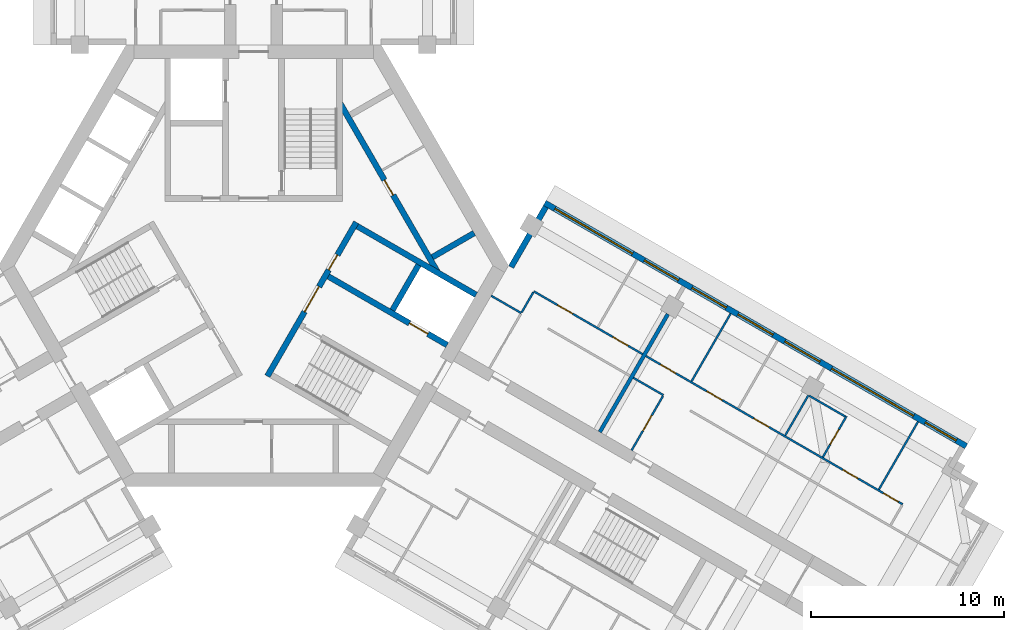
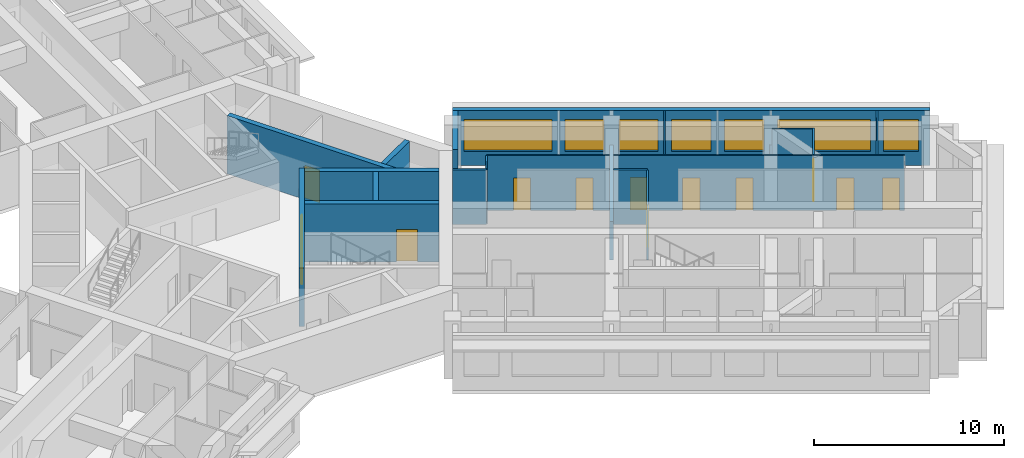
# One storey, part 6 of 11: 20 walls, 13 doors, 7 windows, 20 openings.
"""IFC4 building model written with IfcOpenShell, lengths in metres."""

from ifc_helpers import new_model, si_unit, direction, frame, frame_2d, origin, place, context, subcontext, project, spatial, rectangle, extrude, material, layer, layer_set, type_object, element, fill, save


model = new_model("IFC4")

# Units and contexts
model_context = context("Model", 3, precision=1e-05, world=origin(), true_north=direction((0.0, 1.0)))
body_context = subcontext(model_context, "Body", "Model", "MODEL_VIEW")
ifc_project = project(units=[si_unit("LENGTHUNIT", "METRE"), si_unit("AREAUNIT", "SQUARE_METRE"), si_unit("VOLUMEUNIT", "CUBIC_METRE"), si_unit("PLANEANGLEUNIT", "RADIAN"), si_unit("MASSUNIT", "GRAM", prefix="KILO")], contexts=[model_context])

# Site, building, storey
site_placement = place(None, origin())
site = spatial("IfcSite", under=ifc_project, at=site_placement, CompositionType="ELEMENT")
building_placement = place(site_placement, origin())
building = spatial("IfcBuilding", under=site, at=building_placement, Name="Impinga Residences", CompositionType="ELEMENT")
storey_placement = place(building_placement, frame((0.0, 0.0, 244.75)))
storey = spatial("IfcBuildingStorey", under=building, at=storey_placement, Name="L61", CompositionType="ELEMENT", Elevation=244.75)

# Wall
ifc_material_1 = material(Name="Terracotta rainscreen on blockwork", Category="masonry")
ifc_layer_1 = layer(ifc_material_1, 0.300048828125)
ifc_layer_set_1 = layer_set([ifc_layer_1], Name="EW1 external wall, terracotta rainscreen on blockwork 300")
wall_type_1 = type_object("IfcWallType", Name="EW1 external wall, terracotta rainscreen on blockwork 300", PredefinedType="SOLIDWALL", material=ifc_layer_set_1)
wall_1_placement = place(storey_placement, frame((13.329833984375, -0.074951171875, 0.0), z_axis=(0.0, 0.0, 1.0), x_axis=(0.500012057535, 0.866018442252, 0.0)))
element("IfcWall", 1, at=wall_1_placement, inside=storey, type_object=wall_type_1, Name="External wall EW1 L61", PredefinedType="SOLIDWALL", context=body_context, shape_type="SweptSolid", body=[
    extrude(rectangle(XDim=3.60009765625, YDim=0.300048828125, at=frame_2d((1.800048828125, 0.0))), origin(), (0.0, 0.0, 1.0), 3.530029296875),
])

# Wall, openings, windows
wall_2_placement = place(storey_placement, frame((15.074951171875, 3.24755859375, 0.0), z_axis=(0.0, 0.0, 1.0), x_axis=(0.86602925447, -0.499993330357, 0.0)))
wall_2 = element("IfcWall", 2, at=wall_2_placement, inside=storey, type_object=wall_type_1, Name="External wall EW1 L61", PredefinedType="SOLIDWALL", context=body_context, shape_type="SweptSolid", body=[
    extrude(rectangle(XDim=25.199951171875, YDim=0.300048828125, at=frame_2d((12.60009765625, 0.0))), origin(), (0.0, 0.0, 1.0), 3.530029296875),
])
opening_1_placement = place(wall_2_placement, frame((0.60009765625, 0.0, 0.89990234375)))
opening_1 = element("IfcOpeningElement", 3, at=opening_1_placement, cuts=wall_2, Name="Opening W10", PredefinedType="OPENING", context=body_context, shape_type="SweptSolid", body=[
    extrude(rectangle(XDim=4.64990234375, YDim=2.050048828125, at=frame_2d((2.324951171875, 1.02490234375))), frame((0.0, 0.159912109375, 0.0), z_axis=(0.0, -1.0, 0.0), x_axis=(1.0, 0.0, 0.0)), (0.0, 0.0, 1.0), 0.320068359375),
])
opening_2_placement = place(wall_2_placement, frame((5.949951171875, 0.0, 0.89990234375)))
opening_2 = element("IfcOpeningElement", 4, at=opening_2_placement, cuts=wall_2, Name="Opening W14", PredefinedType="OPENING", context=body_context, shape_type="SweptSolid", body=[
    extrude(rectangle(XDim=2.050048828125, YDim=2.050048828125, at=frame_2d((1.02490234375, 1.02490234375))), frame((0.0, 0.159912109375, 0.0), z_axis=(0.0, -1.0, 0.0), x_axis=(1.0, 0.0, 0.0)), (0.0, 0.0, 1.0), 0.320068359375),
])
opening_3_placement = place(wall_2_placement, frame((8.800048828125, 0.0, 0.89990234375)))
opening_3 = element("IfcOpeningElement", 5, at=opening_3_placement, cuts=wall_2, Name="Opening W14", PredefinedType="OPENING", context=body_context, shape_type="SweptSolid", body=[
    extrude(rectangle(XDim=2.050048828125, YDim=2.050048828125, at=frame_2d((1.02490234375, 1.02490234375))), frame((0.0, 0.159912109375, 0.0), z_axis=(0.0, -1.0, 0.0), x_axis=(1.0, 0.0, 0.0)), (0.0, 0.0, 1.0), 0.320068359375),
])
opening_4_placement = place(wall_2_placement, frame((11.550048828125, 0.0, 0.89990234375)))
opening_4 = element("IfcOpeningElement", 6, at=opening_4_placement, cuts=wall_2, Name="Opening W9", PredefinedType="OPENING", context=body_context, shape_type="SweptSolid", body=[
    extrude(rectangle(XDim=2.10009765625, YDim=2.050048828125, at=frame_2d((1.050048828125, 1.02490234375))), frame((0.0, 0.159912109375, 0.0), z_axis=(0.0, -1.0, 0.0), x_axis=(1.0, 0.0, 0.0)), (0.0, 0.0, 1.0), 0.320068359375),
])
opening_5_placement = place(wall_2_placement, frame((14.35009765625, 0.0, 0.89990234375)))
opening_5 = element("IfcOpeningElement", 7, at=opening_5_placement, cuts=wall_2, Name="Opening W9", PredefinedType="OPENING", context=body_context, shape_type="SweptSolid", body=[
    extrude(rectangle(XDim=2.10009765625, YDim=2.050048828125, at=frame_2d((1.050048828125, 1.02490234375))), frame((0.0, 0.159912109375, 0.0), z_axis=(0.0, -1.0, 0.0), x_axis=(1.0, 0.0, 0.0)), (0.0, 0.0, 1.0), 0.320068359375),
])
opening_6_placement = place(wall_2_placement, frame((17.14990234375, 0.0, 0.89990234375)))
opening_6 = element("IfcOpeningElement", 8, at=opening_6_placement, cuts=wall_2, Name="Opening W16", PredefinedType="OPENING", context=body_context, shape_type="SweptSolid", body=[
    extrude(rectangle(XDim=4.89990234375, YDim=2.050048828125, at=frame_2d((2.449951171875, 1.02490234375))), frame((0.0, 0.159912109375, 0.0), z_axis=(0.0, -1.0, 0.0), x_axis=(1.0, 0.0, 0.0)), (0.0, 0.0, 1.0), 0.320068359375),
])
opening_7_placement = place(wall_2_placement, frame((22.75, 0.0, 0.89990234375)))
opening_7 = element("IfcOpeningElement", 9, at=opening_7_placement, cuts=wall_2, Name="Opening W15", PredefinedType="OPENING", context=body_context, shape_type="SweptSolid", body=[
    extrude(rectangle(XDim=1.85009765625, YDim=2.050048828125, at=frame_2d((0.925048828125, 1.02490234375))), frame((0.0, 0.159912109375, 0.0), z_axis=(0.0, -1.0, 0.0), x_axis=(1.0, 0.0, 0.0)), (0.0, 0.0, 1.0), 0.320068359375),
])
ifc_material_2 = material(Name="Aluminium window, clear double glazing", Category="aluminium")
window_type_1 = type_object("IfcWindowType", Name="W10 ribbon window 4650x2050", PartitioningType="SINGLE_PANEL", PredefinedType="WINDOW", material=ifc_material_2)
window_1_placement = place(opening_1_placement, origin())
window_1 = element("IfcWindow", 10, at=window_1_placement, inside=storey, type_object=window_type_1, Name="Window L61", OverallHeight=2.050048828125, OverallWidth=4.64990234375, PartitioningType="SINGLE_PANEL", PredefinedType="WINDOW", context=body_context, shape_type="SweptSolid", body=[
    extrude(rectangle(XDim=4.64990234375, YDim=2.050048828125, at=frame_2d((2.324951171875, 1.02490234375))), frame((0.0, 0.030029296875, 0.0), z_axis=(0.0, -1.0, 0.0), x_axis=(1.0, 0.0, 0.0)), (0.0, 0.0, 1.0), 0.06005859375),
])
fill(opening_1, window_1)
window_type_2 = type_object("IfcWindowType", Name="W14 ribbon window 2050x2050", PartitioningType="SINGLE_PANEL", PredefinedType="WINDOW", material=ifc_material_2)
window_2_placement = place(opening_2_placement, origin())
window_2 = element("IfcWindow", 11, at=window_2_placement, inside=storey, type_object=window_type_2, Name="Window L61", OverallHeight=2.050048828125, OverallWidth=2.050048828125, PartitioningType="SINGLE_PANEL", PredefinedType="WINDOW", context=body_context, shape_type="SweptSolid", body=[
    extrude(rectangle(XDim=2.050048828125, YDim=2.050048828125, at=frame_2d((1.02490234375, 1.02490234375))), frame((0.0, 0.030029296875, 0.0), z_axis=(0.0, -1.0, 0.0), x_axis=(1.0, 0.0, 0.0)), (0.0, 0.0, 1.0), 0.06005859375),
])
fill(opening_2, window_2)
window_3_placement = place(opening_3_placement, origin())
window_3 = element("IfcWindow", 12, at=window_3_placement, inside=storey, type_object=window_type_2, Name="Window L61", OverallHeight=2.050048828125, OverallWidth=2.050048828125, PartitioningType="SINGLE_PANEL", PredefinedType="WINDOW", context=body_context, shape_type="SweptSolid", body=[
    extrude(rectangle(XDim=2.050048828125, YDim=2.050048828125, at=frame_2d((1.02490234375, 1.02490234375))), frame((0.0, 0.030029296875, 0.0), z_axis=(0.0, -1.0, 0.0), x_axis=(1.0, 0.0, 0.0)), (0.0, 0.0, 1.0), 0.06005859375),
])
fill(opening_3, window_3)
window_type_3 = type_object("IfcWindowType", Name="W15 ribbon window 1850x2050", PartitioningType="SINGLE_PANEL", PredefinedType="WINDOW", material=ifc_material_2)
window_4_placement = place(opening_7_placement, origin())
window_4 = element("IfcWindow", 13, at=window_4_placement, inside=storey, type_object=window_type_3, Name="Window L61", OverallHeight=2.050048828125, OverallWidth=1.85009765625, PartitioningType="SINGLE_PANEL", PredefinedType="WINDOW", context=body_context, shape_type="SweptSolid", body=[
    extrude(rectangle(XDim=1.85009765625, YDim=2.050048828125, at=frame_2d((0.925048828125, 1.02490234375))), frame((0.0, 0.030029296875, 0.0), z_axis=(0.0, -1.0, 0.0), x_axis=(1.0, 0.0, 0.0)), (0.0, 0.0, 1.0), 0.06005859375),
])
fill(opening_7, window_4)
window_type_4 = type_object("IfcWindowType", Name="W16 ribbon window 4900x2050", PartitioningType="SINGLE_PANEL", PredefinedType="WINDOW", material=ifc_material_2)
window_5_placement = place(opening_6_placement, origin())
window_5 = element("IfcWindow", 14, at=window_5_placement, inside=storey, type_object=window_type_4, Name="Window L61", OverallHeight=2.050048828125, OverallWidth=4.89990234375, PartitioningType="SINGLE_PANEL", PredefinedType="WINDOW", context=body_context, shape_type="SweptSolid", body=[
    extrude(rectangle(XDim=4.89990234375, YDim=2.050048828125, at=frame_2d((2.449951171875, 1.02490234375))), frame((0.0, 0.030029296875, 0.0), z_axis=(0.0, -1.0, 0.0), x_axis=(1.0, 0.0, 0.0)), (0.0, 0.0, 1.0), 0.06005859375),
])
fill(opening_6, window_5)
window_type_5 = type_object("IfcWindowType", Name="W9 ribbon window 2100x2050", PartitioningType="SINGLE_PANEL", PredefinedType="WINDOW", material=ifc_material_2)
window_6_placement = place(opening_4_placement, origin())
window_6 = element("IfcWindow", 15, at=window_6_placement, inside=storey, type_object=window_type_5, Name="Window L61", OverallHeight=2.050048828125, OverallWidth=2.10009765625, PartitioningType="SINGLE_PANEL", PredefinedType="WINDOW", context=body_context, shape_type="SweptSolid", body=[
    extrude(rectangle(XDim=2.10009765625, YDim=2.050048828125, at=frame_2d((1.050048828125, 1.02490234375))), frame((0.0, 0.030029296875, 0.0), z_axis=(0.0, -1.0, 0.0), x_axis=(1.0, 0.0, 0.0)), (0.0, 0.0, 1.0), 0.06005859375),
])
fill(opening_4, window_6)
window_7_placement = place(opening_5_placement, origin())
window_7 = element("IfcWindow", 16, at=window_7_placement, inside=storey, type_object=window_type_5, Name="Window L61", OverallHeight=2.050048828125, OverallWidth=2.10009765625, PartitioningType="SINGLE_PANEL", PredefinedType="WINDOW", context=body_context, shape_type="SweptSolid", body=[
    extrude(rectangle(XDim=2.10009765625, YDim=2.050048828125, at=frame_2d((1.050048828125, 1.02490234375))), frame((0.0, 0.030029296875, 0.0), z_axis=(0.0, -1.0, 0.0), x_axis=(1.0, 0.0, 0.0)), (0.0, 0.0, 1.0), 0.06005859375),
])
fill(opening_5, window_7)

# Wall
ifc_material_3 = material(Name="Gypsum board on steel studs", Category="steel")
ifc_layer_2 = layer(ifc_material_3, 0.10009765625)
ifc_layer_set_2 = layer_set([ifc_layer_2], Name="Gypsum board on steel studs")
wall_type_2 = type_object("IfcWallType", Name="IP1 partition 100", PredefinedType="PARTITIONING", material=ifc_layer_set_2)
wall_3_placement = place(storey_placement, frame((12.300048828125, -1.558837890625, 0.0), z_axis=(0.0, 0.0, 1.0), x_axis=(0.866047807691, -0.499961193289, 0.0)))
element("IfcWall", 17, at=wall_3_placement, inside=storey, type_object=wall_type_2, Name="Partition L61-EA1:DIV0", PredefinedType="PARTITIONING", context=body_context, shape_type="SweptSolid", body=[
    extrude(rectangle(XDim=1.800048828125, YDim=0.10009765625, at=frame_2d((0.89990234375, 0.0))), origin(), (0.0, 0.0, 1.0), 3.530029296875),
])

# Wall, openings, doors
wall_4_placement = place(storey_placement, frame((14.5087890625, -1.3330078125, 0.0), z_axis=(0.0, 0.0, 1.0), x_axis=(0.866024837091, -0.50000098154, 0.0)))
wall_4 = element("IfcWall", 18, at=wall_4_placement, inside=storey, type_object=wall_type_2, Name="Partition L61-EA1:STRIP", PredefinedType="PARTITIONING", context=body_context, shape_type="SweptSolid", body=[
    extrude(rectangle(XDim=6.5, YDim=0.10009765625, at=frame_2d((3.25, 0.0))), origin(), (0.0, 0.0, 1.0), 3.530029296875),
])
opening_8_placement = place(wall_4_placement, frame((1.425048828125, 0.0, 0.0)))
opening_8 = element("IfcOpeningElement", 19, at=opening_8_placement, cuts=wall_4, Name="Opening D2", PredefinedType="OPENING", context=body_context, shape_type="SweptSolid", body=[
    extrude(rectangle(XDim=0.89990234375, YDim=2.10009765625, at=frame_2d((0.449951171875, 1.050048828125))), frame((0.0, 0.06005859375, 0.0), z_axis=(0.0, -1.0, 0.0), x_axis=(1.0, 0.0, 0.0)), (0.0, 0.0, 1.0), 0.1201171875),
])
opening_9_placement = place(wall_4_placement, frame((4.72509765625, 0.0, 0.0)))
opening_9 = element("IfcOpeningElement", 20, at=opening_9_placement, cuts=wall_4, Name="Opening D2", PredefinedType="OPENING", context=body_context, shape_type="SweptSolid", body=[
    extrude(rectangle(XDim=0.89990234375, YDim=2.10009765625, at=frame_2d((0.449951171875, 1.050048828125))), frame((0.0, 0.06005859375, 0.0), z_axis=(0.0, -1.0, 0.0), x_axis=(1.0, 0.0, 0.0)), (0.0, 0.0, 1.0), 0.1201171875),
])
ifc_material_4 = material(Name="Timber door set", Category="wood")
door_type_1 = type_object("IfcDoorType", Name="D2 internal door 900x2100", OperationType="SINGLE_SWING_LEFT", PredefinedType="DOOR", material=ifc_material_4)
door_1_placement = place(opening_8_placement, origin())
door_1 = element("IfcDoor", 21, at=door_1_placement, inside=storey, type_object=door_type_1, Name="Apartment L61-EA1 room door", OperationType="SINGLE_SWING_LEFT", OverallHeight=2.10009765625, OverallWidth=0.89990234375, PredefinedType="DOOR", context=body_context, shape_type="SweptSolid", body=[
    extrude(rectangle(XDim=0.89990234375, YDim=2.10009765625, at=frame_2d((0.449951171875, 1.050048828125))), frame((0.0, 0.02490234375, 0.0), z_axis=(0.0, -1.0, 0.0), x_axis=(1.0, 0.0, 0.0)), (0.0, 0.0, 1.0), 0.050048828125),
])
fill(opening_8, door_1)
door_2_placement = place(opening_9_placement, origin())
door_2 = element("IfcDoor", 22, at=door_2_placement, inside=storey, type_object=door_type_1, Name="Apartment L61-EA1 room door", OperationType="SINGLE_SWING_RIGHT", OverallHeight=2.10009765625, OverallWidth=0.89990234375, PredefinedType="DOOR", context=body_context, shape_type="SweptSolid", body=[
    extrude(rectangle(XDim=0.89990234375, YDim=2.10009765625, at=frame_2d((0.449951171875, 1.050048828125))), frame((0.0, 0.02490234375, 0.0), z_axis=(0.0, -1.0, 0.0), x_axis=(1.0, 0.0, 0.0)), (0.0, 0.0, 1.0), 0.050048828125),
])
fill(opening_9, door_2)

# Walls
wall_5_placement = place(storey_placement, frame((13.8837890625, -2.41552734375, 0.0), z_axis=(0.0, 0.0, 1.0), x_axis=(0.500033551112, 0.866006032174, 0.0)))
element("IfcWall", 23, at=wall_5_placement, inside=storey, type_object=wall_type_2, Name="Partition L61-EA1:SE0", PredefinedType="PARTITIONING", context=body_context, shape_type="SweptSolid", body=[
    extrude(rectangle(XDim=1.2001953125, YDim=0.10009765625, at=frame_2d((0.60009765625, 0.0))), origin(), (0.0, 0.0, 1.0), 3.530029296875),
])
wall_6_placement = place(storey_placement, frame((19.6611328125, -5.808837890625, 0.0), z_axis=(0.0, 0.0, 1.0), x_axis=(0.866047807691, -0.499961193289, 0.0)))
element("IfcWall", 24, at=wall_6_placement, inside=storey, type_object=wall_type_2, Name="Partition L61-EA2:DIV0", PredefinedType="PARTITIONING", context=body_context, shape_type="SweptSolid", body=[
    extrude(rectangle(XDim=1.800048828125, YDim=0.10009765625, at=frame_2d((0.89990234375, 0.0))), origin(), (0.0, 0.0, 1.0), 3.530029296875),
])

# Wall, openings, doors
wall_7_placement = place(storey_placement, frame((20.311279296875, -4.68310546875, 0.0), z_axis=(0.0, 0.0, 1.0), x_axis=(0.866030377306, -0.499991385509, 0.0)))
wall_7 = element("IfcWall", 25, at=wall_7_placement, inside=storey, type_object=wall_type_2, Name="Partition L61-EA2:STRIP", PredefinedType="PARTITIONING", context=body_context, shape_type="SweptSolid", body=[
    extrude(rectangle(XDim=15.349853515625, YDim=0.10009765625, at=frame_2d((7.6748046875, 0.0))), origin(), (0.0, 0.0, 1.0), 3.530029296875),
])
opening_10_placement = place(wall_7_placement, frame((0.875, 0.0, 0.0)))
opening_10 = element("IfcOpeningElement", 26, at=opening_10_placement, cuts=wall_7, Name="Opening D2", PredefinedType="OPENING", context=body_context, shape_type="SweptSolid", body=[
    extrude(rectangle(XDim=0.89990234375, YDim=2.10009765625, at=frame_2d((0.449951171875, 1.050048828125))), frame((0.0, 0.06005859375, 0.0), z_axis=(0.0, -1.0, 0.0), x_axis=(1.0, 0.0, 0.0)), (0.0, 0.0, 1.0), 0.1201171875),
])
opening_11_placement = place(wall_7_placement, frame((3.64990234375, 0.0, 0.0)))
opening_11 = element("IfcOpeningElement", 27, at=opening_11_placement, cuts=wall_7, Name="Opening D2", PredefinedType="OPENING", context=body_context, shape_type="SweptSolid", body=[
    extrude(rectangle(XDim=0.89990234375, YDim=2.10009765625, at=frame_2d((0.449951171875, 1.050048828125))), frame((0.0, 0.06005859375, 0.0), z_axis=(0.0, -1.0, 0.0), x_axis=(1.0, 0.0, 0.0)), (0.0, 0.0, 1.0), 0.1201171875),
])
opening_12_placement = place(wall_7_placement, frame((6.449951171875, 0.0, 0.0)))
opening_12 = element("IfcOpeningElement", 28, at=opening_12_placement, cuts=wall_7, Name="Opening D2", PredefinedType="OPENING", context=body_context, shape_type="SweptSolid", body=[
    extrude(rectangle(XDim=0.89990234375, YDim=2.10009765625, at=frame_2d((0.449951171875, 1.050048828125))), frame((0.0, 0.06005859375, 0.0), z_axis=(0.0, -1.0, 0.0), x_axis=(1.0, 0.0, 0.0)), (0.0, 0.0, 1.0), 0.1201171875),
])
opening_13_placement = place(wall_7_placement, frame((11.77490234375, 0.0, 0.0)))
opening_13 = element("IfcOpeningElement", 29, at=opening_13_placement, cuts=wall_7, Name="Opening D2", PredefinedType="OPENING", context=body_context, shape_type="SweptSolid", body=[
    extrude(rectangle(XDim=0.89990234375, YDim=2.10009765625, at=frame_2d((0.449951171875, 1.050048828125))), frame((0.0, 0.06005859375, 0.0), z_axis=(0.0, -1.0, 0.0), x_axis=(1.0, 0.0, 0.0)), (0.0, 0.0, 1.0), 0.1201171875),
])
opening_14_placement = place(wall_7_placement, frame((14.199951171875, 0.0, 0.0)))
opening_14 = element("IfcOpeningElement", 30, at=opening_14_placement, cuts=wall_7, Name="Opening D2", PredefinedType="OPENING", context=body_context, shape_type="SweptSolid", body=[
    extrude(rectangle(XDim=0.89990234375, YDim=2.10009765625, at=frame_2d((0.449951171875, 1.050048828125))), frame((0.0, 0.06005859375, 0.0), z_axis=(0.0, -1.0, 0.0), x_axis=(1.0, 0.0, 0.0)), (0.0, 0.0, 1.0), 0.1201171875),
])
door_3_placement = place(opening_10_placement, origin())
door_3 = element("IfcDoor", 31, at=door_3_placement, inside=storey, type_object=door_type_1, Name="Apartment L61-EA2 room door", OperationType="SINGLE_SWING_LEFT", OverallHeight=2.10009765625, OverallWidth=0.89990234375, PredefinedType="DOOR", context=body_context, shape_type="SweptSolid", body=[
    extrude(rectangle(XDim=0.89990234375, YDim=2.10009765625, at=frame_2d((0.449951171875, 1.050048828125))), frame((0.0, 0.02490234375, 0.0), z_axis=(0.0, -1.0, 0.0), x_axis=(1.0, 0.0, 0.0)), (0.0, 0.0, 1.0), 0.050048828125),
])
fill(opening_10, door_3)
door_4_placement = place(opening_11_placement, origin())
door_4 = element("IfcDoor", 32, at=door_4_placement, inside=storey, type_object=door_type_1, Name="Apartment L61-EA2 room door", OperationType="SINGLE_SWING_LEFT", OverallHeight=2.10009765625, OverallWidth=0.89990234375, PredefinedType="DOOR", context=body_context, shape_type="SweptSolid", body=[
    extrude(rectangle(XDim=0.89990234375, YDim=2.10009765625, at=frame_2d((0.449951171875, 1.050048828125))), frame((0.0, 0.02490234375, 0.0), z_axis=(0.0, -1.0, 0.0), x_axis=(1.0, 0.0, 0.0)), (0.0, 0.0, 1.0), 0.050048828125),
])
fill(opening_11, door_4)
door_5_placement = place(opening_12_placement, origin())
door_5 = element("IfcDoor", 33, at=door_5_placement, inside=storey, type_object=door_type_1, Name="Apartment L61-EA2 room door", OperationType="SINGLE_SWING_LEFT", OverallHeight=2.10009765625, OverallWidth=0.89990234375, PredefinedType="DOOR", context=body_context, shape_type="SweptSolid", body=[
    extrude(rectangle(XDim=0.89990234375, YDim=2.10009765625, at=frame_2d((0.449951171875, 1.050048828125))), frame((0.0, 0.02490234375, 0.0), z_axis=(0.0, -1.0, 0.0), x_axis=(1.0, 0.0, 0.0)), (0.0, 0.0, 1.0), 0.050048828125),
])
fill(opening_12, door_5)
door_6_placement = place(opening_13_placement, origin())
door_6 = element("IfcDoor", 34, at=door_6_placement, inside=storey, type_object=door_type_1, Name="Apartment L61-EA2 room door", OperationType="SINGLE_SWING_RIGHT", OverallHeight=2.10009765625, OverallWidth=0.89990234375, PredefinedType="DOOR", context=body_context, shape_type="SweptSolid", body=[
    extrude(rectangle(XDim=0.89990234375, YDim=2.10009765625, at=frame_2d((0.449951171875, 1.050048828125))), frame((0.0, 0.02490234375, 0.0), z_axis=(0.0, -1.0, 0.0), x_axis=(1.0, 0.0, 0.0)), (0.0, 0.0, 1.0), 0.050048828125),
])
fill(opening_13, door_6)
door_7_placement = place(opening_14_placement, origin())
door_7 = element("IfcDoor", 35, at=door_7_placement, inside=storey, type_object=door_type_1, Name="Apartment L61-EA2 room door", OperationType="SINGLE_SWING_RIGHT", OverallHeight=2.10009765625, OverallWidth=0.89990234375, PredefinedType="DOOR", context=body_context, shape_type="SweptSolid", body=[
    extrude(rectangle(XDim=0.89990234375, YDim=2.10009765625, at=frame_2d((0.449951171875, 1.050048828125))), frame((0.0, 0.02490234375, 0.0), z_axis=(0.0, -1.0, 0.0), x_axis=(1.0, 0.0, 0.0)), (0.0, 0.0, 1.0), 0.050048828125),
])
fill(opening_14, door_7)

# Wall, opening, door
wall_8_placement = place(storey_placement, frame((19.570068359375, -9.566650390625, 0.0), z_axis=(0.0, 0.0, 1.0), x_axis=(0.500017246033, 0.866015446554, 0.0)))
wall_8 = element("IfcWall", 36, at=wall_8_placement, inside=storey, type_object=wall_type_2, Name="Partition L61-EA2:IB1", PredefinedType="PARTITIONING", context=body_context, shape_type="SweptSolid", body=[
    extrude(rectangle(XDim=3.25, YDim=0.10009765625, at=frame_2d((1.625, 0.0))), origin(), (0.0, 0.0, 1.0), 3.530029296875),
])
opening_15_placement = place(wall_8_placement, frame((1.175048828125, 0.0, 0.0)))
opening_15 = element("IfcOpeningElement", 37, at=opening_15_placement, cuts=wall_8, Name="Opening D2", PredefinedType="OPENING", context=body_context, shape_type="SweptSolid", body=[
    extrude(rectangle(XDim=0.89990234375, YDim=2.10009765625, at=frame_2d((0.449951171875, 1.050048828125))), frame((0.0, 0.06005859375, 0.0), z_axis=(0.0, -1.0, 0.0), x_axis=(1.0, 0.0, 0.0)), (0.0, 0.0, 1.0), 0.1201171875),
])
door_8_placement = place(opening_15_placement, origin())
door_8 = element("IfcDoor", 38, at=door_8_placement, inside=storey, type_object=door_type_1, Name="Apartment L61-EA2 bathroom door", OperationType="SINGLE_SWING_LEFT", OverallHeight=2.10009765625, OverallWidth=0.89990234375, PredefinedType="DOOR", context=body_context, shape_type="SweptSolid", body=[
    extrude(rectangle(XDim=0.89990234375, YDim=2.10009765625, at=frame_2d((0.449951171875, 1.050048828125))), frame((0.0, 0.02490234375, 0.0), z_axis=(0.0, -1.0, 0.0), x_axis=(1.0, 0.0, 0.0)), (0.0, 0.0, 1.0), 0.050048828125),
])
fill(opening_15, door_8)

# Walls
wall_9_placement = place(storey_placement, frame((22.674560546875, -5.98974609375, 0.0), z_axis=(0.0, 0.0, 1.0), x_axis=(0.499990325971, 0.866030989016, 0.0)))
element("IfcWall", 39, at=wall_9_placement, inside=storey, type_object=wall_type_2, Name="Partition L61-EA2:OB1", PredefinedType="PARTITIONING", context=body_context, shape_type="SweptSolid", body=[
    extrude(rectangle(XDim=4.0498046875, YDim=0.10009765625, at=frame_2d((2.02490234375, 0.0))), origin(), (0.0, 0.0, 1.0), 3.530029296875),
])
wall_10_placement = place(storey_placement, frame((27.524169921875, -8.789794921875, 0.0), z_axis=(0.0, 0.0, 1.0), x_axis=(0.499957262057, 0.866050077142, 0.0)))
element("IfcWall", 40, at=wall_10_placement, inside=storey, type_object=wall_type_2, Name="Partition L61-EA2:OB3", PredefinedType="PARTITIONING", context=body_context, shape_type="SweptSolid", body=[
    extrude(rectangle(XDim=2.400146484375, YDim=0.10009765625, at=frame_2d((1.2001953125, 0.0))), origin(), (0.0, 0.0, 1.0), 2.47998046875),
])
wall_11_placement = place(storey_placement, frame((32.3740234375, -11.589599609375, 0.0), z_axis=(0.0, 0.0, 1.0), x_axis=(0.499990325971, 0.866030989016, 0.0)))
element("IfcWall", 41, at=wall_11_placement, inside=storey, type_object=wall_type_2, Name="Partition L61-EA2:OB4", PredefinedType="PARTITIONING", context=body_context, shape_type="SweptSolid", body=[
    extrude(rectangle(XDim=4.0498046875, YDim=0.10009765625, at=frame_2d((2.02490234375, 0.0))), origin(), (0.0, 0.0, 1.0), 3.530029296875),
])

# Wall, opening, door
wall_12_placement = place(storey_placement, frame((29.472900390625, -9.914794921875, 0.0), z_axis=(0.0, 0.0, 1.0), x_axis=(0.499943856944, 0.866057815567, 0.0)))
wall_12 = element("IfcWall", 42, at=wall_12_placement, inside=storey, type_object=wall_type_2, Name="Partition L61-EA2:EN1", PredefinedType="PARTITIONING", context=body_context, shape_type="SweptSolid", body=[
    extrude(rectangle(XDim=2.449951171875, YDim=0.10009765625, at=frame_2d((1.22509765625, 0.0))), origin(), (0.0, 0.0, 1.0), 3.530029296875),
])
opening_16_placement = place(wall_12_placement, frame((0.75, 0.0, 0.0)))
opening_16 = element("IfcOpeningElement", 43, at=opening_16_placement, cuts=wall_12, Name="Opening D2", PredefinedType="OPENING", context=body_context, shape_type="SweptSolid", body=[
    extrude(rectangle(XDim=0.89990234375, YDim=2.10009765625, at=frame_2d((0.449951171875, 1.050048828125))), frame((0.0, 0.06005859375, 0.0), z_axis=(0.0, -1.0, 0.0), x_axis=(1.0, 0.0, 0.0)), (0.0, 0.0, 1.0), 0.1201171875),
])
door_9_placement = place(opening_16_placement, origin())
door_9 = element("IfcDoor", 44, at=door_9_placement, inside=storey, type_object=door_type_1, Name="Apartment L61-EA2 en-suite door", OperationType="SINGLE_SWING_LEFT", OverallHeight=2.10009765625, OverallWidth=0.89990234375, PredefinedType="DOOR", context=body_context, shape_type="SweptSolid", body=[
    extrude(rectangle(XDim=0.89990234375, YDim=2.10009765625, at=frame_2d((0.449951171875, 1.050048828125))), frame((0.0, 0.02490234375, 0.0), z_axis=(0.0, -1.0, 0.0), x_axis=(1.0, 0.0, 0.0)), (0.0, 0.0, 1.0), 0.050048828125),
])
fill(opening_16, door_9)

# Walls
wall_13_placement = place(storey_placement, frame((28.767578125, -6.736328125, 0.0), z_axis=(0.0, 0.0, 1.0), x_axis=(0.866019166195, -0.500010803666, 0.0)))
element("IfcWall", 45, at=wall_13_placement, inside=storey, type_object=wall_type_2, Name="Partition L61-EA2:EN2", PredefinedType="PARTITIONING", context=body_context, shape_type="SweptSolid", body=[
    extrude(rectangle(XDim=2.14990234375, YDim=0.10009765625, at=frame_2d((1.074951171875, 0.0))), origin(), (0.0, 0.0, 1.0), 3.530029296875),
])
ifc_material_5 = material(Name="Concrete blockwork", Category="masonry")
ifc_layer_3 = layer(ifc_material_5, 0.199951171875)
ifc_layer_set_3 = layer_set([ifc_layer_3], Name="PW1 party wall between apartments 200")
wall_type_3 = type_object("IfcWallType", Name="PW1 party wall between apartments 200", PredefinedType="SOLIDWALL", material=ifc_layer_set_3)
wall_14_placement = place(storey_placement, frame((17.924560546875, -8.61669921875, 0.0), z_axis=(0.0, 0.0, 1.0), x_axis=(0.500016218704, 0.866016039709, 0.0)))
element("IfcWall", 46, at=wall_14_placement, inside=storey, type_object=wall_type_3, Name="Party wall between apartments L61-EA1:PARTY", PredefinedType="SOLIDWALL", context=body_context, shape_type="SweptSolid", body=[
    extrude(rectangle(XDim=7.050048828125, YDim=0.199951171875, at=frame_2d((3.52490234375, 0.0))), origin(), (0.0, 0.0, 1.0), 2.47998046875),
])

# Wall, openings, doors
ifc_material_6 = material(Name="Concrete C70/85", Category="concrete")
ifc_layer_4 = layer(ifc_material_6, 0.300048828125)
ifc_layer_set_4 = layer_set([ifc_layer_4], Name="Concrete C70/85")
wall_type_4 = type_object("IfcWallType", Name="SW5 core inner wall, stairs, shafts and lobbies 300", PredefinedType="SHEAR", material=ifc_layer_set_4)
wall_15_placement = place(storey_placement, frame((5.313720703125, 2.24365234375, 0.0), z_axis=(0.0, 0.0, 1.0), x_axis=(-0.499995050369, -0.866028261437, 0.0)))
wall_15 = element("IfcWall", 47, at=wall_15_placement, inside=storey, type_object=wall_type_4, Name="Core wall SW5 E:ZONE L61", PredefinedType="SHEAR", context=body_context, shape_type="SweptSolid", body=[
    extrude(rectangle(XDim=9.19970703125, YDim=0.300048828125, at=frame_2d((4.599853515625, 0.0))), origin(), (0.0, 0.0, 1.0), 3.75),
])
opening_17_placement = place(wall_15_placement, frame((3.85009765625, 0.0, 0.0)))
opening_17 = element("IfcOpeningElement", 48, at=opening_17_placement, cuts=wall_15, Name="Opening D4", PredefinedType="OPENING", context=body_context, shape_type="SweptSolid", body=[
    extrude(rectangle(XDim=1.5, YDim=2.10009765625, at=frame_2d((0.75, 1.050048828125))), frame((0.0, 0.159912109375, 0.0), z_axis=(0.0, -1.0, 0.0), x_axis=(1.0, 0.0, 0.0)), (0.0, 0.0, 1.0), 0.320068359375),
])
opening_18_placement = place(wall_15_placement, frame((1.949951171875, 0.0, 0.0)))
opening_18 = element("IfcOpeningElement", 49, at=opening_18_placement, cuts=wall_15, Name="Opening D6", PredefinedType="OPENING", context=body_context, shape_type="SweptSolid", body=[
    extrude(rectangle(XDim=0.89990234375, YDim=2.10009765625, at=frame_2d((0.449951171875, 1.050048828125))), frame((0.0, 0.159912109375, 0.0), z_axis=(0.0, -1.0, 0.0), x_axis=(1.0, 0.0, 0.0)), (0.0, 0.0, 1.0), 0.320068359375),
])
door_type_2 = type_object("IfcDoorType", Name="D4 lobby door pair 1500x2100", OperationType="DOUBLE_DOOR_DOUBLE_SWING", PredefinedType="DOOR", material=ifc_material_4)
door_10_placement = place(opening_17_placement, origin())
door_10 = element("IfcDoor", 50, at=door_10_placement, inside=storey, type_object=door_type_2, Name="Firefighting lobby door E", OperationType="DOUBLE_DOOR_DOUBLE_SWING", OverallHeight=2.10009765625, OverallWidth=1.5, PredefinedType="DOOR", context=body_context, shape_type="SweptSolid", body=[
    extrude(rectangle(XDim=1.5, YDim=2.10009765625, at=frame_2d((0.75, 1.050048828125))), frame((0.0, 0.02490234375, 0.0), z_axis=(0.0, -1.0, 0.0), x_axis=(1.0, 0.0, 0.0)), (0.0, 0.0, 1.0), 0.050048828125),
])
fill(opening_17, door_10)
door_type_3 = type_object("IfcDoorType", Name="D6 riser and store door 900x2100", OperationType="SINGLE_SWING_LEFT", PredefinedType="DOOR", material=ifc_material_4)
door_11_placement = place(opening_18_placement, origin())
door_11 = element("IfcDoor", 51, at=door_11_placement, inside=storey, type_object=door_type_3, Name="Riser door E", OperationType="SINGLE_SWING_LEFT", OverallHeight=2.10009765625, OverallWidth=0.89990234375, PredefinedType="DOOR", context=body_context, shape_type="SweptSolid", body=[
    extrude(rectangle(XDim=0.89990234375, YDim=2.10009765625, at=frame_2d((0.449951171875, 1.050048828125))), frame((0.0, 0.02490234375, 0.0), z_axis=(0.0, -1.0, 0.0), x_axis=(1.0, 0.0, 0.0)), (0.0, 0.0, 1.0), 0.050048828125),
])
fill(opening_18, door_11)

# Wall, opening, door
wall_16_placement = place(storey_placement, frame((3.86865234375, -0.559326171875, 0.0), z_axis=(0.0, 0.0, 1.0), x_axis=(0.866025859768, -0.499999210213, 0.0)))
wall_16 = element("IfcWall", 52, at=wall_16_placement, inside=storey, type_object=wall_type_4, Name="Core wall SW5 E:FF-IN L61", PredefinedType="SHEAR", context=body_context, shape_type="SweptSolid", body=[
    extrude(rectangle(XDim=7.1015625, YDim=0.300048828125, at=frame_2d((3.55078125, 0.0))), origin(), (0.0, 0.0, 1.0), 3.75),
])
opening_19_placement = place(wall_16_placement, frame((4.85009765625, 0.0, 0.0)))
opening_19 = element("IfcOpeningElement", 53, at=opening_19_placement, cuts=wall_16, Name="Opening LD2", PredefinedType="OPENING", context=body_context, shape_type="SweptSolid", body=[
    extrude(rectangle(XDim=1.10009765625, YDim=2.10009765625, at=frame_2d((0.550048828125, 1.050048828125))), frame((0.0, 0.159912109375, 0.0), z_axis=(0.0, -1.0, 0.0), x_axis=(1.0, 0.0, 0.0)), (0.0, 0.0, 1.0), 0.320068359375),
])
ifc_material_7 = material(Name="Steel lift landing door", Category="steel")
door_type_4 = type_object("IfcDoorType", Name="LD2 firefighting lift landing door 1100x2100", OperationType="DOUBLE_DOOR_SLIDING", PredefinedType="DOOR", material=ifc_material_7)
door_12_placement = place(opening_19_placement, origin())
door_12 = element("IfcDoor", 54, at=door_12_placement, inside=storey, type_object=door_type_4, Name="Firefighting lift landing door F3", OperationType="DOUBLE_DOOR_SLIDING", OverallHeight=2.10009765625, OverallWidth=1.10009765625, PredefinedType="DOOR", context=body_context, shape_type="SweptSolid", body=[
    extrude(rectangle(XDim=1.10009765625, YDim=2.10009765625, at=frame_2d((0.550048828125, 1.050048828125))), frame((0.0, 0.02490234375, 0.0), z_axis=(0.0, -1.0, 0.0), x_axis=(1.0, 0.0, 0.0)), (0.0, 0.0, 1.0), 0.050048828125),
])
fill(opening_19, door_12)

# Walls
wall_17_placement = place(storey_placement, frame((5.36865234375, 2.038818359375, 0.0), z_axis=(0.0, 0.0, 1.0), x_axis=(0.866025859768, -0.499999210213, 0.0)))
element("IfcWall", 55, at=wall_17_placement, inside=storey, type_object=wall_type_4, Name="Core wall SW5 E:FF-OUT L61", PredefinedType="SHEAR", context=body_context, shape_type="SweptSolid", body=[
    extrude(rectangle(XDim=7.1015625, YDim=0.300048828125, at=frame_2d((3.55078125, 0.0))), origin(), (0.0, 0.0, 1.0), 3.75),
])
wall_18_placement = place(storey_placement, frame((8.541259765625, 0.033935546875, 0.0), z_axis=(0.0, 0.0, 1.0), x_axis=(-0.50000943426, -0.866019956843, 0.0)))
element("IfcWall", 56, at=wall_18_placement, inside=storey, type_object=wall_type_4, Name="Core wall SW5 E:FF-RS L61", PredefinedType="SHEAR", context=body_context, shape_type="SweptSolid", body=[
    extrude(rectangle(XDim=2.7001953125, YDim=0.300048828125, at=frame_2d((1.35009765625, 0.0))), origin(), (0.0, 0.0, 1.0), 3.75),
])

# Wall, opening, door
wall_19_placement = place(storey_placement, frame((4.449951171875, 8.455322265625, 0.0), z_axis=(0.0, 0.0, 1.0), x_axis=(0.500002290144, -0.866024081565, 0.0)))
wall_19 = element("IfcWall", 57, at=wall_19_placement, inside=storey, type_object=wall_type_4, Name="Core wall SW5 W:BANK-FRONT L61", PredefinedType="SHEAR", context=body_context, shape_type="SweptSolid", body=[
    extrude(rectangle(XDim=10.1953125, YDim=0.300048828125, at=frame_2d((5.09765625, 0.0))), origin(), (0.0, 0.0, 1.0), 3.75),
])
opening_20_placement = place(wall_19_placement, frame((4.647705078125, 0.0, 0.0)))
opening_20 = element("IfcOpeningElement", 58, at=opening_20_placement, cuts=wall_19, Name="Opening D6", PredefinedType="OPENING", context=body_context, shape_type="SweptSolid", body=[
    extrude(rectangle(XDim=0.89990234375, YDim=2.10009765625, at=frame_2d((0.449951171875, 1.050048828125))), frame((0.0, 0.159912109375, 0.0), z_axis=(0.0, -1.0, 0.0), x_axis=(1.0, 0.0, 0.0)), (0.0, 0.0, 1.0), 0.320068359375),
])
door_13_placement = place(opening_20_placement, origin())
door_13 = element("IfcDoor", 59, at=door_13_placement, inside=storey, type_object=door_type_3, Name="Vending and ice room door", OperationType="SINGLE_SWING_RIGHT", OverallHeight=2.10009765625, OverallWidth=0.89990234375, PredefinedType="DOOR", context=body_context, shape_type="SweptSolid", body=[
    extrude(rectangle(XDim=0.89990234375, YDim=2.10009765625, at=frame_2d((0.449951171875, 1.050048828125))), frame((0.0, 0.02490234375, 0.0), z_axis=(0.0, -1.0, 0.0), x_axis=(1.0, 0.0, 0.0)), (0.0, 0.0, 1.0), 0.050048828125),
])
fill(opening_20, door_13)

# Wall
wall_20_placement = place(storey_placement, frame((9.253662109375, 0.43505859375, 0.0), z_axis=(0.0, 0.0, 1.0), x_axis=(0.866022959057, 0.500004234368, 0.0)))
element("IfcWall", 60, at=wall_20_placement, inside=storey, type_object=wall_type_4, Name="Core wall SW5 W:BANK-R L61", PredefinedType="SHEAR", context=body_context, shape_type="SweptSolid", body=[
    extrude(rectangle(XDim=2.5, YDim=0.300048828125, at=frame_2d((1.25, 0.0))), origin(), (0.0, 0.0, 1.0), 3.75),
])

save(model, "model.ifc")
